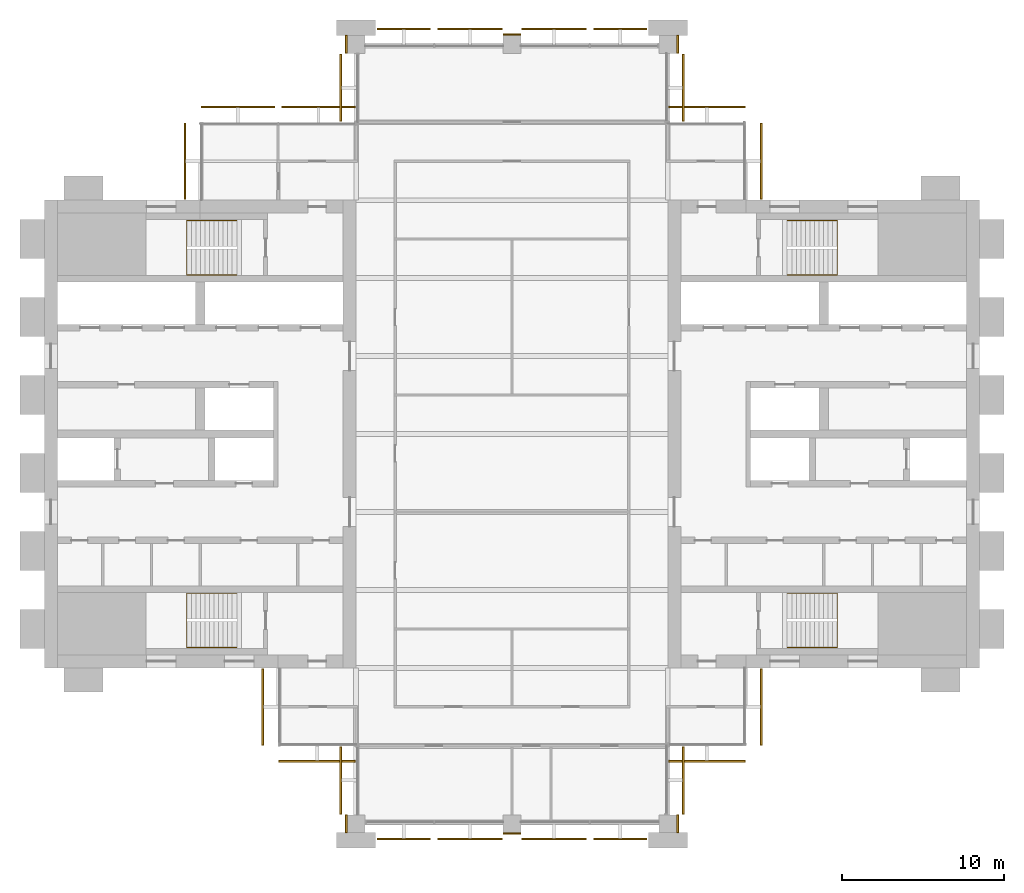
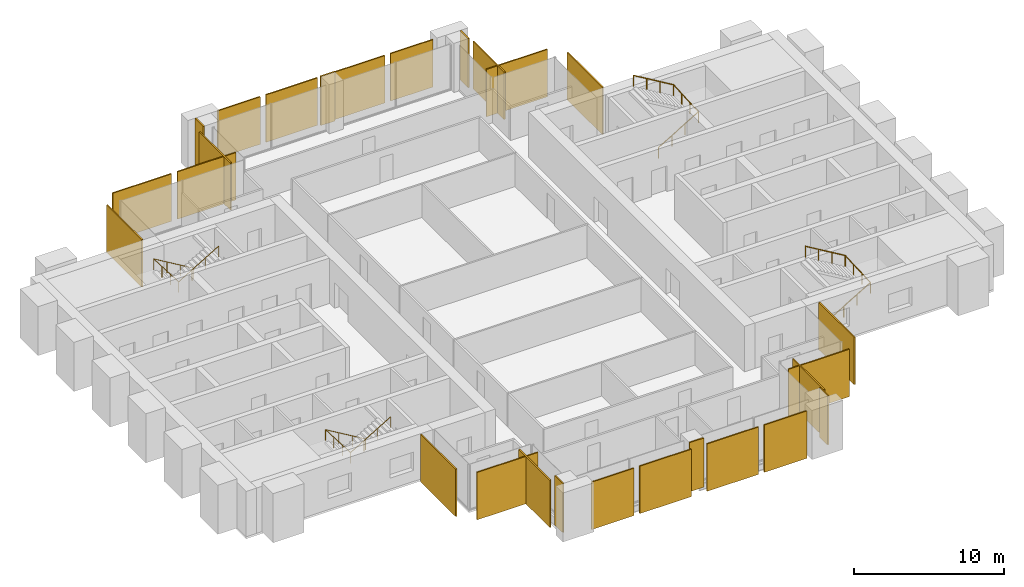
# One storey, part 13 of 13: 27 coverings, 4 railings.
"""IFC4 building model written with IfcOpenShell, lengths in metres."""

from ifc_helpers import new_model, si_unit, direction, frame, origin, origin_2d, place, context, subcontext, project, spatial, polyline, rectangle, circle, outline, extrude, material, layer, layer_set, type_object, element, save


model = new_model("IFC4")

# Units and contexts
model_context = context("Model", 3, precision=1e-05, world=origin(), true_north=direction((0.0, 1.0)))
body_context = subcontext(model_context, "Body", "Model", "MODEL_VIEW")
ifc_project = project(units=[si_unit("LENGTHUNIT", "METRE"), si_unit("AREAUNIT", "SQUARE_METRE"), si_unit("VOLUMEUNIT", "CUBIC_METRE"), si_unit("PLANEANGLEUNIT", "RADIAN"), si_unit("MASSUNIT", "GRAM", prefix="KILO")], contexts=[model_context])

# Site, building, storey
site_placement = place(None, origin())
site = spatial("IfcSite", under=ifc_project, at=site_placement, CompositionType="ELEMENT")
building_placement = place(site_placement, origin())
building = spatial("IfcBuilding", under=site, at=building_placement, Name="Baori Bourse Tower", CompositionType="ELEMENT")
storey_placement = place(building_placement, frame((0.0, 0.0, 261.199951171875)))
storey = spatial("IfcBuildingStorey", under=building, at=storey_placement, Name="L58", CompositionType="ELEMENT", Elevation=261.199951171875)

# Railings
ifc_material_1 = material(Name="Powder-coated steel balustrade", Category="steel")
railing_type = type_object("IfcRailingType", Name="Core stair handrail", PredefinedType="HANDRAIL", material=ifc_material_1)
railing_1_placement = place(storey_placement, frame((11.85009765625, 14.199951171875, 0.166748046875)))
element("IfcRailing", 1, at=railing_1_placement, inside=storey, type_object=railing_type, Name="L58 ST1 stair handrail 1", PredefinedType="HANDRAIL", context=body_context, shape_type="SweptSolid", body=[
    extrude(circle(Radius=0.02392578125, at=origin_2d()), frame((0.0, 0.0, 0.8759765625), z_axis=(-0.859308565015, 0.0, 0.511457515432), x_axis=(0.0, -1.0, 0.0)), (0.0, 0.0, 1.0), 3.58447265625),
    extrude(circle(Radius=0.02392578125, at=origin_2d()), frame((-3.080078125, 0.0, 2.708984375), z_axis=(0.0, -0.998763387249, 0.04971615724), x_axis=(1.0, 0.0, 0.0)), (0.0, 0.0, 1.0), 3.35400390625),
    extrude(circle(Radius=0.02392578125, at=origin_2d()), frame((-3.080078125, -3.349853515625, 2.8759765625), z_axis=(0.859308565015, 0.0, 0.511457515432), x_axis=(0.0, 1.0, 0.0)), (0.0, 0.0, 1.0), 3.58447265625),
    extrude(circle(Radius=0.02099609375, at=origin_2d()), origin(), (0.0, 0.0, 1.0), 0.851806640625),
    extrude(circle(Radius=0.02099609375, at=origin_2d()), frame((-1.026611328125, 0.0, 0.611083984375)), (0.0, 0.0, 1.0), 0.851806640625),
    extrude(circle(Radius=0.02099609375, at=origin_2d()), frame((-2.053466796875, 0.0, 1.22216796875)), (0.0, 0.0, 1.0), 0.851806640625),
    extrude(circle(Radius=0.02099609375, at=origin_2d()), frame((-3.080078125, 0.0, 1.833251953125)), (0.0, 0.0, 1.0), 0.851806640625),
    extrude(circle(Radius=0.02099609375, at=origin_2d()), frame((-3.080078125, -1.11669921875, 1.888916015625)), (0.0, 0.0, 1.0), 0.851806640625),
    extrude(circle(Radius=0.02099609375, at=origin_2d()), frame((-3.080078125, -2.233154296875, 1.9443359375)), (0.0, 0.0, 1.0), 0.851806640625),
    extrude(circle(Radius=0.02099609375, at=origin_2d()), frame((-3.080078125, -3.349853515625, 2.0)), (0.0, 0.0, 1.0), 0.851806640625),
    extrude(circle(Radius=0.02099609375, at=origin_2d()), frame((-2.053466796875, -3.349853515625, 2.611083984375)), (0.0, 0.0, 1.0), 0.851806640625),
    extrude(circle(Radius=0.02099609375, at=origin_2d()), frame((-1.026611328125, -3.349853515625, 3.22216796875)), (0.0, 0.0, 1.0), 0.851806640625),
    extrude(circle(Radius=0.02099609375, at=origin_2d()), frame((0.0, -3.349853515625, 3.833251953125)), (0.0, 0.0, 1.0), 0.851806640625),
])
railing_2_placement = place(storey_placement, frame((11.85009765625, 37.14990234375, 0.166748046875)))
element("IfcRailing", 2, at=railing_2_placement, inside=storey, type_object=railing_type, Name="L58 ST2 stair handrail 1", PredefinedType="HANDRAIL", context=body_context, shape_type="SweptSolid", body=[
    extrude(circle(Radius=0.02392578125, at=origin_2d()), frame((0.0, 0.0, 0.8759765625), z_axis=(-0.859308565015, 0.0, 0.511457515432), x_axis=(0.0, -1.0, 0.0)), (0.0, 0.0, 1.0), 3.58447265625),
    extrude(circle(Radius=0.02392578125, at=origin_2d()), frame((-3.080078125, 0.0, 2.708984375), z_axis=(0.0, -0.998763387249, 0.04971615724), x_axis=(1.0, 0.0, 0.0)), (0.0, 0.0, 1.0), 3.35400390625),
    extrude(circle(Radius=0.02392578125, at=origin_2d()), frame((-3.080078125, -3.349853515625, 2.8759765625), z_axis=(0.859308565015, 0.0, 0.511457515432), x_axis=(0.0, 1.0, 0.0)), (0.0, 0.0, 1.0), 3.58447265625),
    extrude(circle(Radius=0.02099609375, at=origin_2d()), origin(), (0.0, 0.0, 1.0), 0.851806640625),
    extrude(circle(Radius=0.02099609375, at=origin_2d()), frame((-1.026611328125, 0.0, 0.611083984375)), (0.0, 0.0, 1.0), 0.851806640625),
    extrude(circle(Radius=0.02099609375, at=origin_2d()), frame((-2.053466796875, 0.0, 1.22216796875)), (0.0, 0.0, 1.0), 0.851806640625),
    extrude(circle(Radius=0.02099609375, at=origin_2d()), frame((-3.080078125, 0.0, 1.833251953125)), (0.0, 0.0, 1.0), 0.851806640625),
    extrude(circle(Radius=0.02099609375, at=origin_2d()), frame((-3.080078125, -1.11669921875, 1.888916015625)), (0.0, 0.0, 1.0), 0.851806640625),
    extrude(circle(Radius=0.02099609375, at=origin_2d()), frame((-3.080078125, -2.233154296875, 1.9443359375)), (0.0, 0.0, 1.0), 0.851806640625),
    extrude(circle(Radius=0.02099609375, at=origin_2d()), frame((-3.080078125, -3.349853515625, 2.0)), (0.0, 0.0, 1.0), 0.851806640625),
    extrude(circle(Radius=0.02099609375, at=origin_2d()), frame((-2.053466796875, -3.349853515625, 2.611083984375)), (0.0, 0.0, 1.0), 0.851806640625),
    extrude(circle(Radius=0.02099609375, at=origin_2d()), frame((-1.026611328125, -3.349853515625, 3.22216796875)), (0.0, 0.0, 1.0), 0.851806640625),
    extrude(circle(Radius=0.02099609375, at=origin_2d()), frame((0.0, -3.349853515625, 3.833251953125)), (0.0, 0.0, 1.0), 0.851806640625),
])
railing_3_placement = place(storey_placement, frame((45.75, 10.85009765625, 0.166748046875)))
element("IfcRailing", 3, at=railing_3_placement, inside=storey, type_object=railing_type, Name="L58 ST3 stair handrail 1", PredefinedType="HANDRAIL", context=body_context, shape_type="SweptSolid", body=[
    extrude(circle(Radius=0.02392578125, at=origin_2d()), frame((0.0, 0.0, 0.8759765625), z_axis=(0.859308565015, 0.0, 0.511457515432), x_axis=(0.0, 1.0, 0.0)), (0.0, 0.0, 1.0), 3.58447265625),
    extrude(circle(Radius=0.02392578125, at=origin_2d()), frame((3.080078125, 0.0, 2.708984375), z_axis=(0.0, 0.998763387249, 0.04971615724), x_axis=(-1.0, 0.0, 0.0)), (0.0, 0.0, 1.0), 3.35400390625),
    extrude(circle(Radius=0.02392578125, at=origin_2d()), frame((3.080078125, 3.349853515625, 2.8759765625), z_axis=(-0.859308565015, 0.0, 0.511457515432), x_axis=(0.0, -1.0, 0.0)), (0.0, 0.0, 1.0), 3.58447265625),
    extrude(circle(Radius=0.02099609375, at=origin_2d()), origin(), (0.0, 0.0, 1.0), 0.851806640625),
    extrude(circle(Radius=0.02099609375, at=origin_2d()), frame((1.026611328125, 0.0, 0.611083984375)), (0.0, 0.0, 1.0), 0.851806640625),
    extrude(circle(Radius=0.02099609375, at=origin_2d()), frame((2.053466796875, 0.0, 1.22216796875)), (0.0, 0.0, 1.0), 0.851806640625),
    extrude(circle(Radius=0.02099609375, at=origin_2d()), frame((3.080078125, 0.0, 1.833251953125)), (0.0, 0.0, 1.0), 0.851806640625),
    extrude(circle(Radius=0.02099609375, at=origin_2d()), frame((3.080078125, 1.11669921875, 1.888916015625)), (0.0, 0.0, 1.0), 0.851806640625),
    extrude(circle(Radius=0.02099609375, at=origin_2d()), frame((3.080078125, 2.233154296875, 1.9443359375)), (0.0, 0.0, 1.0), 0.851806640625),
    extrude(circle(Radius=0.02099609375, at=origin_2d()), frame((3.080078125, 3.349853515625, 2.0)), (0.0, 0.0, 1.0), 0.851806640625),
    extrude(circle(Radius=0.02099609375, at=origin_2d()), frame((2.053466796875, 3.349853515625, 2.611083984375)), (0.0, 0.0, 1.0), 0.851806640625),
    extrude(circle(Radius=0.02099609375, at=origin_2d()), frame((1.026611328125, 3.349853515625, 3.22216796875)), (0.0, 0.0, 1.0), 0.851806640625),
    extrude(circle(Radius=0.02099609375, at=origin_2d()), frame((0.0, 3.349853515625, 3.833251953125)), (0.0, 0.0, 1.0), 0.851806640625),
])
railing_4_placement = place(storey_placement, frame((45.75, 33.800048828125, 0.166748046875)))
element("IfcRailing", 4, at=railing_4_placement, inside=storey, type_object=railing_type, Name="L58 ST4 stair handrail 1", PredefinedType="HANDRAIL", context=body_context, shape_type="SweptSolid", body=[
    extrude(circle(Radius=0.02392578125, at=origin_2d()), frame((0.0, 0.0, 0.8759765625), z_axis=(0.859308565015, 0.0, 0.511457515432), x_axis=(0.0, 1.0, 0.0)), (0.0, 0.0, 1.0), 3.58447265625),
    extrude(circle(Radius=0.02392578125, at=origin_2d()), frame((3.080078125, 0.0, 2.708984375), z_axis=(0.0, 0.998763387249, 0.04971615724), x_axis=(-1.0, 0.0, 0.0)), (0.0, 0.0, 1.0), 3.35400390625),
    extrude(circle(Radius=0.02392578125, at=origin_2d()), frame((3.080078125, 3.349853515625, 2.8759765625), z_axis=(-0.859308565015, 0.0, 0.511457515432), x_axis=(0.0, -1.0, 0.0)), (0.0, 0.0, 1.0), 3.58447265625),
    extrude(circle(Radius=0.02099609375, at=origin_2d()), origin(), (0.0, 0.0, 1.0), 0.851806640625),
    extrude(circle(Radius=0.02099609375, at=origin_2d()), frame((1.026611328125, 0.0, 0.611083984375)), (0.0, 0.0, 1.0), 0.851806640625),
    extrude(circle(Radius=0.02099609375, at=origin_2d()), frame((2.053466796875, 0.0, 1.22216796875)), (0.0, 0.0, 1.0), 0.851806640625),
    extrude(circle(Radius=0.02099609375, at=origin_2d()), frame((3.080078125, 0.0, 1.833251953125)), (0.0, 0.0, 1.0), 0.851806640625),
    extrude(circle(Radius=0.02099609375, at=origin_2d()), frame((3.080078125, 1.11669921875, 1.888916015625)), (0.0, 0.0, 1.0), 0.851806640625),
    extrude(circle(Radius=0.02099609375, at=origin_2d()), frame((3.080078125, 2.233154296875, 1.9443359375)), (0.0, 0.0, 1.0), 0.851806640625),
    extrude(circle(Radius=0.02099609375, at=origin_2d()), frame((3.080078125, 3.349853515625, 2.0)), (0.0, 0.0, 1.0), 0.851806640625),
    extrude(circle(Radius=0.02099609375, at=origin_2d()), frame((2.053466796875, 3.349853515625, 2.611083984375)), (0.0, 0.0, 1.0), 0.851806640625),
    extrude(circle(Radius=0.02099609375, at=origin_2d()), frame((1.026611328125, 3.349853515625, 3.22216796875)), (0.0, 0.0, 1.0), 0.851806640625),
    extrude(circle(Radius=0.02099609375, at=origin_2d()), frame((0.0, 3.349853515625, 3.833251953125)), (0.0, 0.0, 1.0), 0.851806640625),
])

# Coverings
ifc_material_2 = material(Name="Pale anodised aluminium", Category="aluminium")
ifc_layer_1 = layer(ifc_material_2, 0.10009765625)
ifc_layer_set_1 = layer_set([ifc_layer_1], Name="OS3 Outer skin screen panel")
covering_type_1 = type_object("IfcCoveringType", Name="OS3 Outer skin screen panel", PredefinedType="CLADDING", material=ifc_layer_set_1)
covering_1_placement = place(storey_placement, frame((0.0, 0.0, -0.159912109375)))
element("IfcCovering", 5, at=covering_1_placement, inside=storey, type_object=covering_type_1, Name="Outer skin screen L58 1", PredefinedType="CLADDING", context=body_context, shape_type="SweptSolid", body=[
    extrude(outline(polyline([(44.10009765625, 43.14990234375), (44.10009765625, 38.449951171875), (44.199951171875, 38.449951171875), (44.199951171875, 43.14990234375), (44.10009765625, 43.14990234375)])), origin(), (0.0, 0.0, 1.0), 3.85986328125),
])
covering_2_placement = place(storey_placement, frame((0.0, 0.0, -0.159912109375)))
element("IfcCovering", 6, at=covering_2_placement, inside=storey, type_object=covering_type_1, Name="Outer skin screen L58 2", PredefinedType="CLADDING", context=body_context, shape_type="SweptSolid", body=[
    extrude(outline(polyline([(38.449951171875, 44.10009765625), (43.14990234375, 44.10009765625), (43.14990234375, 44.199951171875), (38.449951171875, 44.199951171875), (38.449951171875, 44.10009765625)])), origin(), (0.0, 0.0, 1.0), 3.85986328125),
])
covering_3_placement = place(storey_placement, frame((0.0, 0.0, -0.159912109375)))
element("IfcCovering", 7, at=covering_3_placement, inside=storey, type_object=covering_type_1, Name="Outer skin screen L58 3", PredefinedType="CLADDING", context=body_context, shape_type="SweptSolid", body=[
    extrude(outline(polyline([(39.300048828125, 47.39990234375), (39.300048828125, 43.25), (39.39990234375, 43.25), (39.39990234375, 47.39990234375), (39.300048828125, 47.39990234375)])), origin(), (0.0, 0.0, 1.0), 3.85986328125),
])
covering_4_placement = place(storey_placement, frame((0.0, 0.0, -0.159912109375)))
element("IfcCovering", 8, at=covering_4_placement, inside=storey, type_object=covering_type_1, Name="Outer skin screen L58 4", PredefinedType="CLADDING", context=body_context, shape_type="SweptSolid", body=[
    extrude(outline(polyline([(33.824951171875, 48.89990234375), (37.10009765625, 48.89990234375), (37.10009765625, 49.0), (33.824951171875, 49.0), (33.824951171875, 48.89990234375)])), origin(), (0.0, 0.0, 1.0), 3.85986328125),
])
covering_5_placement = place(storey_placement, frame((0.0, 0.0, -0.159912109375)))
element("IfcCovering", 9, at=covering_5_placement, inside=storey, type_object=covering_type_1, Name="Outer skin screen L58 5", PredefinedType="CLADDING", context=body_context, shape_type="SweptSolid", body=[
    extrude(outline(polyline([(29.39990234375, 48.89990234375), (33.375, 48.89990234375), (33.375, 49.0), (29.39990234375, 49.0), (29.39990234375, 48.89990234375)])), origin(), (0.0, 0.0, 1.0), 3.85986328125),
])
covering_6_placement = place(storey_placement, frame((0.0, 0.0, -0.159912109375)))
element("IfcCovering", 10, at=covering_6_placement, inside=storey, type_object=covering_type_1, Name="Outer skin screen L58 6", PredefinedType="CLADDING", context=body_context, shape_type="SweptSolid", body=[
    extrude(outline(polyline([(24.22509765625, 48.89990234375), (28.199951171875, 48.89990234375), (28.199951171875, 49.0), (24.22509765625, 49.0), (24.22509765625, 48.89990234375)])), origin(), (0.0, 0.0, 1.0), 3.85986328125),
])
covering_7_placement = place(storey_placement, frame((0.0, 0.0, -0.159912109375)))
element("IfcCovering", 11, at=covering_7_placement, inside=storey, type_object=covering_type_1, Name="Outer skin screen L58 7", PredefinedType="CLADDING", context=body_context, shape_type="SweptSolid", body=[
    extrude(outline(polyline([(20.5, 48.89990234375), (23.77490234375, 48.89990234375), (23.77490234375, 49.0), (20.5, 49.0), (20.5, 48.89990234375)])), origin(), (0.0, 0.0, 1.0), 3.85986328125),
])
covering_8_placement = place(storey_placement, frame((0.0, 0.0, -0.159912109375)))
element("IfcCovering", 12, at=covering_8_placement, inside=storey, type_object=covering_type_1, Name="Outer skin screen L58 8", PredefinedType="CLADDING", context=body_context, shape_type="SweptSolid", body=[
    extrude(outline(polyline([(18.300048828125, 43.25), (18.300048828125, 47.39990234375), (18.199951171875, 47.39990234375), (18.199951171875, 43.25), (18.300048828125, 43.25)])), origin(), (0.0, 0.0, 1.0), 3.85986328125),
])
covering_9_placement = place(storey_placement, frame((0.0, 0.0, -0.159912109375)))
element("IfcCovering", 13, at=covering_9_placement, inside=storey, type_object=covering_type_1, Name="Outer skin screen L58 9", PredefinedType="CLADDING", context=body_context, shape_type="SweptSolid", body=[
    extrude(outline(polyline([(14.625, 44.10009765625), (19.14990234375, 44.10009765625), (19.14990234375, 44.199951171875), (14.625, 44.199951171875), (14.625, 44.10009765625)])), origin(), (0.0, 0.0, 1.0), 3.85986328125),
])
covering_10_placement = place(storey_placement, frame((0.0, 0.0, -0.159912109375)))
element("IfcCovering", 14, at=covering_10_placement, inside=storey, type_object=covering_type_1, Name="Outer skin screen L58 10", PredefinedType="CLADDING", context=body_context, shape_type="SweptSolid", body=[
    extrude(outline(polyline([(9.64990234375, 44.10009765625), (14.175048828125, 44.10009765625), (14.175048828125, 44.199951171875), (9.64990234375, 44.199951171875), (9.64990234375, 44.10009765625)])), origin(), (0.0, 0.0, 1.0), 3.85986328125),
])
covering_11_placement = place(storey_placement, frame((0.0, 0.0, -0.159912109375)))
element("IfcCovering", 15, at=covering_11_placement, inside=storey, type_object=covering_type_1, Name="Outer skin screen L58 11", PredefinedType="CLADDING", context=body_context, shape_type="SweptSolid", body=[
    extrude(outline(polyline([(8.699951171875, 38.449951171875), (8.699951171875, 43.14990234375), (8.60009765625, 43.14990234375), (8.60009765625, 38.449951171875), (8.699951171875, 38.449951171875)])), origin(), (0.0, 0.0, 1.0), 3.85986328125),
])
covering_12_placement = place(storey_placement, frame((0.0, 0.0, -0.159912109375)))
element("IfcCovering", 16, at=covering_12_placement, inside=storey, type_object=covering_type_1, Name="Outer skin screen L58 12", PredefinedType="CLADDING", context=body_context, shape_type="SweptSolid", body=[
    extrude(outline(polyline([(13.5, 4.85009765625), (13.5, 9.550048828125), (13.39990234375, 9.550048828125), (13.39990234375, 4.85009765625), (13.5, 4.85009765625)])), origin(), (0.0, 0.0, 1.0), 3.85986328125),
])
covering_13_placement = place(storey_placement, frame((0.0, 0.0, -0.159912109375)))
element("IfcCovering", 17, at=covering_13_placement, inside=storey, type_object=covering_type_1, Name="Outer skin screen L58 13", PredefinedType="CLADDING", context=body_context, shape_type="SweptSolid", body=[
    extrude(outline(polyline([(19.14990234375, 3.89990234375), (14.449951171875, 3.89990234375), (14.449951171875, 3.800048828125), (19.14990234375, 3.800048828125), (19.14990234375, 3.89990234375)])), origin(), (0.0, 0.0, 1.0), 3.85986328125),
])
covering_14_placement = place(storey_placement, frame((0.0, 0.0, -0.159912109375)))
element("IfcCovering", 18, at=covering_14_placement, inside=storey, type_object=covering_type_1, Name="Outer skin screen L58 14", PredefinedType="CLADDING", context=body_context, shape_type="SweptSolid", body=[
    extrude(outline(polyline([(18.300048828125, 0.60009765625), (18.300048828125, 4.75), (18.199951171875, 4.75), (18.199951171875, 0.60009765625), (18.300048828125, 0.60009765625)])), origin(), (0.0, 0.0, 1.0), 3.85986328125),
])
covering_15_placement = place(storey_placement, frame((0.0, 0.0, -0.159912109375)))
element("IfcCovering", 19, at=covering_15_placement, inside=storey, type_object=covering_type_1, Name="Outer skin screen L58 15", PredefinedType="CLADDING", context=body_context, shape_type="SweptSolid", body=[
    extrude(outline(polyline([(23.77490234375, -0.89990234375), (20.5, -0.89990234375), (20.5, -1.0), (23.77490234375, -1.0), (23.77490234375, -0.89990234375)])), origin(), (0.0, 0.0, 1.0), 3.85986328125),
])
covering_16_placement = place(storey_placement, frame((0.0, 0.0, -0.159912109375)))
element("IfcCovering", 20, at=covering_16_placement, inside=storey, type_object=covering_type_1, Name="Outer skin screen L58 16", PredefinedType="CLADDING", context=body_context, shape_type="SweptSolid", body=[
    extrude(outline(polyline([(28.199951171875, -0.89990234375), (24.22509765625, -0.89990234375), (24.22509765625, -1.0), (28.199951171875, -1.0), (28.199951171875, -0.89990234375)])), origin(), (0.0, 0.0, 1.0), 3.85986328125),
])
covering_17_placement = place(storey_placement, frame((0.0, 0.0, -0.159912109375)))
element("IfcCovering", 21, at=covering_17_placement, inside=storey, type_object=covering_type_1, Name="Outer skin screen L58 17", PredefinedType="CLADDING", context=body_context, shape_type="SweptSolid", body=[
    extrude(outline(polyline([(33.375, -0.89990234375), (29.39990234375, -0.89990234375), (29.39990234375, -1.0), (33.375, -1.0), (33.375, -0.89990234375)])), origin(), (0.0, 0.0, 1.0), 3.85986328125),
])
covering_18_placement = place(storey_placement, frame((0.0, 0.0, -0.159912109375)))
element("IfcCovering", 22, at=covering_18_placement, inside=storey, type_object=covering_type_1, Name="Outer skin screen L58 18", PredefinedType="CLADDING", context=body_context, shape_type="SweptSolid", body=[
    extrude(outline(polyline([(37.10009765625, -0.89990234375), (33.824951171875, -0.89990234375), (33.824951171875, -1.0), (37.10009765625, -1.0), (37.10009765625, -0.89990234375)])), origin(), (0.0, 0.0, 1.0), 3.85986328125),
])
covering_19_placement = place(storey_placement, frame((0.0, 0.0, -0.159912109375)))
element("IfcCovering", 23, at=covering_19_placement, inside=storey, type_object=covering_type_1, Name="Outer skin screen L58 19", PredefinedType="CLADDING", context=body_context, shape_type="SweptSolid", body=[
    extrude(outline(polyline([(39.300048828125, 4.75), (39.300048828125, 0.60009765625), (39.39990234375, 0.60009765625), (39.39990234375, 4.75), (39.300048828125, 4.75)])), origin(), (0.0, 0.0, 1.0), 3.85986328125),
])
covering_20_placement = place(storey_placement, frame((0.0, 0.0, -0.159912109375)))
element("IfcCovering", 24, at=covering_20_placement, inside=storey, type_object=covering_type_1, Name="Outer skin screen L58 20", PredefinedType="CLADDING", context=body_context, shape_type="SweptSolid", body=[
    extrude(outline(polyline([(43.14990234375, 3.89990234375), (38.449951171875, 3.89990234375), (38.449951171875, 3.800048828125), (43.14990234375, 3.800048828125), (43.14990234375, 3.89990234375)])), origin(), (0.0, 0.0, 1.0), 3.85986328125),
])
covering_21_placement = place(storey_placement, frame((0.0, 0.0, -0.159912109375)))
element("IfcCovering", 25, at=covering_21_placement, inside=storey, type_object=covering_type_1, Name="Outer skin screen L58 21", PredefinedType="CLADDING", context=body_context, shape_type="SweptSolid", body=[
    extrude(outline(polyline([(44.10009765625, 9.550048828125), (44.10009765625, 4.85009765625), (44.199951171875, 4.85009765625), (44.199951171875, 9.550048828125), (44.10009765625, 9.550048828125)])), origin(), (0.0, 0.0, 1.0), 3.85986328125),
])
ifc_material_3 = material(Name="Face brick", Category="masonry")
ifc_layer_2 = layer(ifc_material_3, 0.110107421875)
ifc_layer_set_2 = layer_set([ifc_layer_2], Name="PC1 Brick pier facing")
covering_type_2 = type_object("IfcCoveringType", Name="PC1 Brick pier facing", PredefinedType="CLADDING", material=ifc_layer_set_2)
covering_22_placement = place(storey_placement, frame((18.594970703125, 0.0, 0.0), z_axis=(0.0, 0.0, 1.0), x_axis=(1.0, 0.0, 0.0)))
element("IfcCovering", 26, at=covering_22_placement, inside=storey, type_object=covering_type_2, Name="Brick pier facing L58 1", PredefinedType="CLADDING", context=body_context, shape_type="SweptSolid", body=[
    extrude(rectangle(XDim=0.110107421875, YDim=1.10009765625, at=origin_2d()), origin(), (0.0, 0.0, 1.0), 4.0),
])
covering_23_placement = place(storey_placement, frame((28.800048828125, -0.60498046875, 0.0), z_axis=(0.0, 0.0, 1.0), x_axis=(1.0, 0.0, 0.0)))
element("IfcCovering", 27, at=covering_23_placement, inside=storey, type_object=covering_type_2, Name="Brick pier facing L58 2", PredefinedType="CLADDING", context=body_context, shape_type="SweptSolid", body=[
    extrude(rectangle(XDim=1.10009765625, YDim=0.110107421875, at=origin_2d()), origin(), (0.0, 0.0, 1.0), 4.0),
])
for number, where, z_axis, x_axis, name in (
    (28, (39.0048828125, 0.0, 0.0), (0.0, 0.0, 1.0), (1.0, 0.0, 0.0), "Brick pier facing L58 3"),
    (29, (18.594970703125, 48.0, 0.0), (0.0, 0.0, 1.0), (1.0, 0.0, 0.0), "Brick pier facing L58 4"),
):
    element("IfcCovering", number, at=place(storey_placement, frame(where, z_axis=z_axis, x_axis=x_axis)), inside=storey, type_object=covering_type_2, Name=name, PredefinedType="CLADDING", context=body_context, shape_type="SweptSolid", body=[
        extrude(rectangle(XDim=0.110107421875, YDim=1.10009765625, at=origin_2d()), origin(), (0.0, 0.0, 1.0), 4.0),
    ])
covering_24_placement = place(storey_placement, frame((28.800048828125, 48.60498046875, 0.0), z_axis=(0.0, 0.0, 1.0), x_axis=(1.0, 0.0, 0.0)))
element("IfcCovering", 30, at=covering_24_placement, inside=storey, type_object=covering_type_2, Name="Brick pier facing L58 5", PredefinedType="CLADDING", context=body_context, shape_type="SweptSolid", body=[
    extrude(rectangle(XDim=1.10009765625, YDim=0.110107421875, at=origin_2d()), origin(), (0.0, 0.0, 1.0), 4.0),
])
covering_25_placement = place(storey_placement, frame((39.0048828125, 48.0, 0.0), z_axis=(0.0, 0.0, 1.0), x_axis=(1.0, 0.0, 0.0)))
element("IfcCovering", 31, at=covering_25_placement, inside=storey, type_object=covering_type_2, Name="Brick pier facing L58 6", PredefinedType="CLADDING", context=body_context, shape_type="SweptSolid", body=[
    extrude(rectangle(XDim=0.110107421875, YDim=1.10009765625, at=origin_2d()), origin(), (0.0, 0.0, 1.0), 4.0),
])

save(model, "model.ifc")
